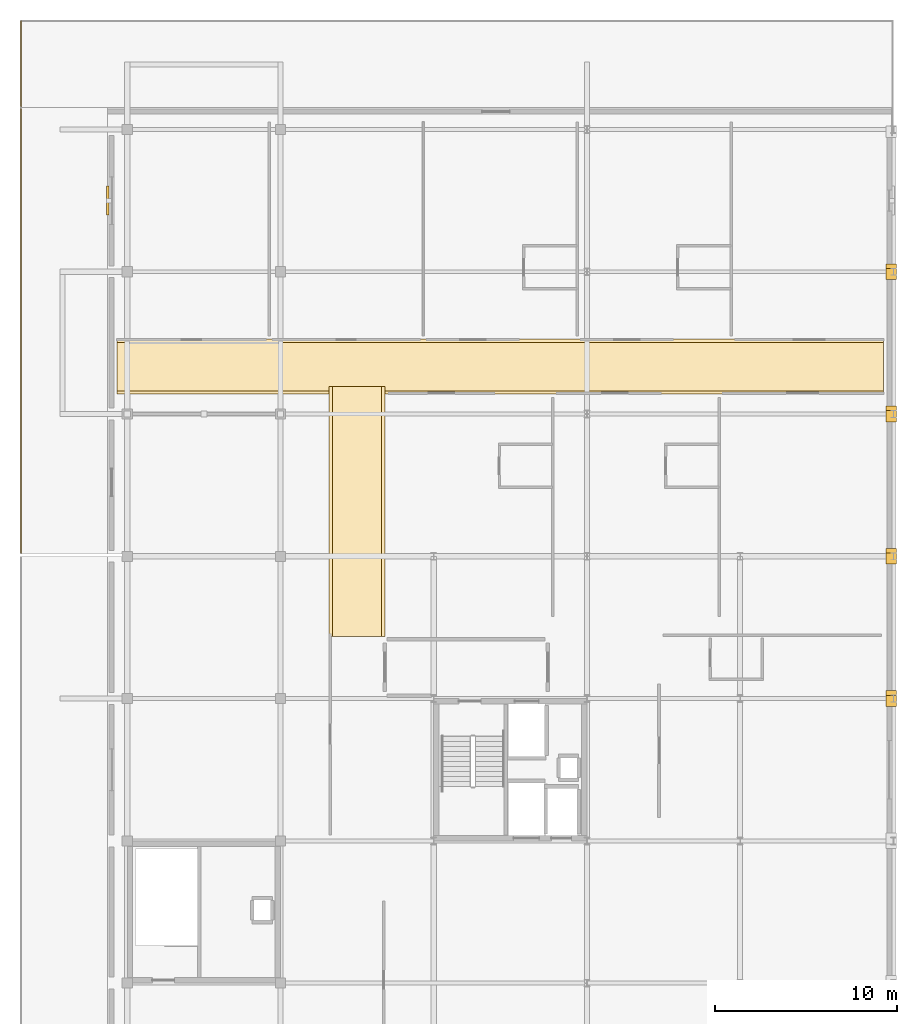
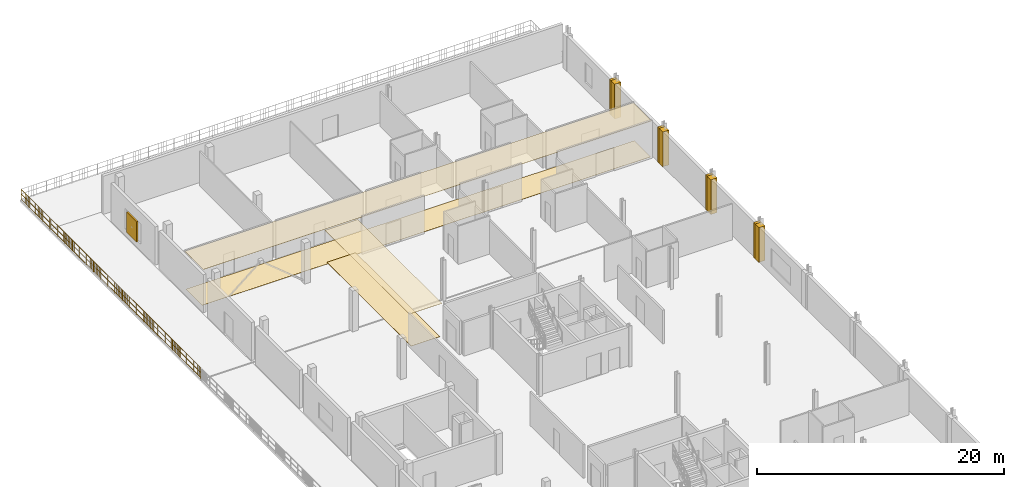
# One storey, part 14 of 16: 12 coverings, 2 railings, 1 shading device.
"""IFC4 building model written with IfcOpenShell, lengths in metres."""

from ifc_helpers import new_model, si_unit, direction, frame, origin, origin_2d, place, context, subcontext, project, spatial, polyline, rectangle, circle, outline, extrude, material, layer, layer_set, type_object, element, save


model = new_model("IFC4")

# Units and contexts
model_context = context("Model", 3, precision=1e-05, world=origin(), true_north=direction((0.0, 1.0)))
body_context = subcontext(model_context, "Body", "Model", "MODEL_VIEW")
ifc_project = project(units=[si_unit("LENGTHUNIT", "METRE"), si_unit("AREAUNIT", "SQUARE_METRE"), si_unit("VOLUMEUNIT", "CUBIC_METRE"), si_unit("PLANEANGLEUNIT", "RADIAN"), si_unit("MASSUNIT", "GRAM", prefix="KILO")], contexts=[model_context])

# Site, building, storey
site_placement = place(None, origin())
site = spatial("IfcSite", under=ifc_project, at=site_placement, CompositionType="ELEMENT")
building_placement = place(site_placement, origin())
building = spatial("IfcBuilding", under=site, at=building_placement, Name="Nabrawat Pavilion Hospital", CompositionType="ELEMENT")
storey_placement = place(building_placement, frame((0.0, 0.0, 31.050048828125)))
storey = spatial("IfcBuildingStorey", under=building, at=storey_placement, Name="L07", CompositionType="ELEMENT", Elevation=31.050048828125)

# Coverings
ifc_material_1 = material(Name="Precast concrete C40/50", Category="concrete")
ifc_layer_1 = layer(ifc_material_1, 0.360107421875, Name="Precast concrete C40/50")
ifc_layer_set_1 = layer_set([ifc_layer_1], Name="Precast concrete C40/50")
covering_type_1 = type_object("IfcCoveringType", Name="Architectural Precast Column-Jamb Closure Reveal", PredefinedType="CLADDING", material=ifc_layer_set_1)
covering_1_placement = place(storey_placement, origin())
element("IfcCovering", 1, at=covering_1_placement, inside=storey, type_object=covering_type_1, Name="L07 Precast Facade Column-Jamb Weatherseal Closure 0658", PredefinedType="CLADDING", context=body_context, shape_type="SweptSolid", body=[
    extrude(outline(polyline([(193.3798828125, 77.570068359375), (193.3798828125, 78.179931640625), (192.800048828125, 78.179931640625), (192.800048828125, 77.570068359375), (193.3798828125, 77.570068359375)])), origin(), (0.0, 0.0, 1.0), 3.43994140625),
])
covering_2_placement = place(storey_placement, origin())
element("IfcCovering", 2, at=covering_2_placement, inside=storey, type_object=covering_type_1, Name="L07 Precast Facade Column-Jamb Weatherseal Closure 0659", PredefinedType="CLADDING", context=body_context, shape_type="SweptSolid", body=[
    extrude(outline(polyline([(193.3798828125, 77.820068359375), (193.3798828125, 78.429931640625), (192.800048828125, 78.429931640625), (192.800048828125, 77.820068359375), (193.3798828125, 77.820068359375)])), origin(), (0.0, 0.0, 1.0), 3.43994140625),
])
covering_3_placement = place(storey_placement, origin())
element("IfcCovering", 3, at=covering_3_placement, inside=storey, type_object=covering_type_1, Name="L07 Precast Facade Column-Jamb Weatherseal Closure 0660", PredefinedType="CLADDING", context=body_context, shape_type="SweptSolid", body=[
    extrude(outline(polyline([(193.3798828125, 85.3701171875), (193.3798828125, 85.97998046875), (192.800048828125, 85.97998046875), (192.800048828125, 85.3701171875), (193.3798828125, 85.3701171875)])), origin(), (0.0, 0.0, 1.0), 3.43994140625),
])
covering_4_placement = place(storey_placement, origin())
element("IfcCovering", 4, at=covering_4_placement, inside=storey, type_object=covering_type_1, Name="L07 Precast Facade Column-Jamb Weatherseal Closure 0661", PredefinedType="CLADDING", context=body_context, shape_type="SweptSolid", body=[
    extrude(outline(polyline([(193.3798828125, 85.6201171875), (193.3798828125, 86.22998046875), (192.800048828125, 86.22998046875), (192.800048828125, 85.6201171875), (193.3798828125, 85.6201171875)])), origin(), (0.0, 0.0, 1.0), 3.43994140625),
])
covering_5_placement = place(storey_placement, origin())
element("IfcCovering", 5, at=covering_5_placement, inside=storey, type_object=covering_type_1, Name="L07 Precast Facade Column-Jamb Weatherseal Closure 0662", PredefinedType="CLADDING", context=body_context, shape_type="SweptSolid", body=[
    extrude(outline(polyline([(193.3798828125, 93.169921875), (193.3798828125, 93.780029296875), (192.800048828125, 93.780029296875), (192.800048828125, 93.169921875), (193.3798828125, 93.169921875)])), origin(), (0.0, 0.0, 1.0), 3.43994140625),
])
covering_6_placement = place(storey_placement, origin())
element("IfcCovering", 6, at=covering_6_placement, inside=storey, type_object=covering_type_1, Name="L07 Precast Facade Column-Jamb Weatherseal Closure 0663", PredefinedType="CLADDING", context=body_context, shape_type="SweptSolid", body=[
    extrude(outline(polyline([(193.3798828125, 93.419921875), (193.3798828125, 94.030029296875), (192.800048828125, 94.030029296875), (192.800048828125, 93.419921875), (193.3798828125, 93.419921875)])), origin(), (0.0, 0.0, 1.0), 3.43994140625),
])
covering_7_placement = place(storey_placement, origin())
element("IfcCovering", 7, at=covering_7_placement, inside=storey, type_object=covering_type_1, Name="L07 Precast Facade Column-Jamb Weatherseal Closure 0664", PredefinedType="CLADDING", context=body_context, shape_type="SweptSolid", body=[
    extrude(outline(polyline([(193.3798828125, 100.969970703125), (193.3798828125, 101.580078125), (192.800048828125, 101.580078125), (192.800048828125, 100.969970703125), (193.3798828125, 100.969970703125)])), origin(), (0.0, 0.0, 1.0), 3.43994140625),
])
covering_8_placement = place(storey_placement, origin())
element("IfcCovering", 8, at=covering_8_placement, inside=storey, type_object=covering_type_1, Name="L07 Precast Facade Column-Jamb Weatherseal Closure 0665", PredefinedType="CLADDING", context=body_context, shape_type="SweptSolid", body=[
    extrude(outline(polyline([(193.3798828125, 101.219970703125), (193.3798828125, 101.830078125), (192.800048828125, 101.830078125), (192.800048828125, 101.219970703125), (193.3798828125, 101.219970703125)])), origin(), (0.0, 0.0, 1.0), 3.43994140625),
])

# Railings
ifc_material_2 = material(Name="Stainless Steel 316", Category="steel")
ifc_layer_2 = layer(ifc_material_2, 0.070068359375, Name="Stainless Steel 316")
ifc_layer_set_2 = layer_set([ifc_layer_2], Name="Stainless Steel 316")
railing_type = type_object("IfcRailingType", Name="Exterior Clinical Terrace Safety Guardrail 1100", PredefinedType="GUARDRAIL", material=ifc_layer_set_2)
railing_1_placement = place(storey_placement, frame((145.3798828125, 85.97998046875, 0.0)))
element("IfcRailing", 9, at=railing_1_placement, inside=storey, type_object=railing_type, Name="L07 Terrace Edge Safety Guardrail T_L07_WARD_WEST_N West", PredefinedType="GUARDRAIL", context=body_context, shape_type="SweptSolid", body=[
    extrude(circle(Radius=0.02392578125, at=origin_2d()), frame((0.0, 0.0, 1.076171875), z_axis=(0.0, 1.0, 0.0), x_axis=(-1.0, 0.0, 0.0)), (0.0, 0.0, 1.0), 24.360107421875),
    extrude(circle(Radius=0.02392578125, at=origin_2d()), frame((0.0, 0.0, 0.10009765625), z_axis=(0.0, 1.0, 0.0), x_axis=(-1.0, 0.0, 0.0)), (0.0, 0.0, 1.0), 24.360107421875),
    extrude(circle(Radius=0.02392578125, at=origin_2d()), frame((0.0, 0.0, 0.60498046875), z_axis=(0.0, 1.0, 0.0), x_axis=(-1.0, 0.0, 0.0)), (0.0, 0.0, 1.0), 24.360107421875),
    extrude(circle(Radius=0.008056640625, at=origin_2d()), frame((0.0, 0.23876953125, 0.10009765625)), (0.0, 0.0, 1.0), 0.951904296875),
    extrude(circle(Radius=0.008056640625, at=origin_2d()), frame((0.0, 0.4775390625, 0.10009765625)), (0.0, 0.0, 1.0), 0.951904296875),
    extrude(circle(Radius=0.008056640625, at=origin_2d()), frame((0.0, 0.716552734375, 0.10009765625)), (0.0, 0.0, 1.0), 0.951904296875),
    extrude(circle(Radius=0.008056640625, at=origin_2d()), frame((0.0, 0.955322265625, 0.10009765625)), (0.0, 0.0, 1.0), 0.951904296875),
    extrude(circle(Radius=0.008056640625, at=origin_2d()), frame((0.0, 1.432861328125, 0.10009765625)), (0.0, 0.0, 1.0), 0.951904296875),
    extrude(circle(Radius=0.008056640625, at=origin_2d()), frame((0.0, 1.671875, 0.10009765625)), (0.0, 0.0, 1.0), 0.951904296875),
    extrude(circle(Radius=0.008056640625, at=origin_2d()), frame((0.0, 1.91064453125, 0.10009765625)), (0.0, 0.0, 1.0), 0.951904296875),
    extrude(circle(Radius=0.008056640625, at=origin_2d()), frame((0.0, 2.1494140625, 0.10009765625)), (0.0, 0.0, 1.0), 0.951904296875),
    extrude(circle(Radius=0.008056640625, at=origin_2d()), frame((0.0, 2.38818359375, 0.10009765625)), (0.0, 0.0, 1.0), 0.951904296875),
    extrude(circle(Radius=0.008056640625, at=origin_2d()), frame((0.0, 2.626953125, 0.10009765625)), (0.0, 0.0, 1.0), 0.951904296875),
    extrude(circle(Radius=0.008056640625, at=origin_2d()), frame((0.0, 2.865966796875, 0.10009765625)), (0.0, 0.0, 1.0), 0.951904296875),
    extrude(circle(Radius=0.008056640625, at=origin_2d()), frame((0.0, 3.104736328125, 0.10009765625)), (0.0, 0.0, 1.0), 0.951904296875),
    extrude(circle(Radius=0.008056640625, at=origin_2d()), frame((0.0, 3.343505859375, 0.10009765625)), (0.0, 0.0, 1.0), 0.951904296875),
    extrude(circle(Radius=0.008056640625, at=origin_2d()), frame((0.0, 3.582275390625, 0.10009765625)), (0.0, 0.0, 1.0), 0.951904296875),
    extrude(circle(Radius=0.008056640625, at=origin_2d()), frame((0.0, 3.8212890625, 0.10009765625)), (0.0, 0.0, 1.0), 0.951904296875),
    extrude(circle(Radius=0.008056640625, at=origin_2d()), frame((0.0, 4.06005859375, 0.10009765625)), (0.0, 0.0, 1.0), 0.951904296875),
    extrude(circle(Radius=0.008056640625, at=origin_2d()), frame((0.0, 4.298828125, 0.10009765625)), (0.0, 0.0, 1.0), 0.951904296875),
    extrude(circle(Radius=0.008056640625, at=origin_2d()), frame((0.0, 4.53759765625, 0.10009765625)), (0.0, 0.0, 1.0), 0.951904296875),
    extrude(circle(Radius=0.008056640625, at=origin_2d()), frame((0.0, 4.776611328125, 0.10009765625)), (0.0, 0.0, 1.0), 0.951904296875),
    extrude(circle(Radius=0.008056640625, at=origin_2d()), frame((0.0, 5.015380859375, 0.10009765625)), (0.0, 0.0, 1.0), 0.951904296875),
    extrude(circle(Radius=0.008056640625, at=origin_2d()), frame((0.0, 5.254150390625, 0.10009765625)), (0.0, 0.0, 1.0), 0.951904296875),
    extrude(circle(Radius=0.008056640625, at=origin_2d()), frame((0.0, 5.492919921875, 0.10009765625)), (0.0, 0.0, 1.0), 0.951904296875),
    extrude(circle(Radius=0.008056640625, at=origin_2d()), frame((0.0, 5.731689453125, 0.10009765625)), (0.0, 0.0, 1.0), 0.951904296875),
    extrude(circle(Radius=0.008056640625, at=origin_2d()), frame((0.0, 5.970703125, 0.10009765625)), (0.0, 0.0, 1.0), 0.951904296875),
    extrude(circle(Radius=0.008056640625, at=origin_2d()), frame((0.0, 6.20947265625, 0.10009765625)), (0.0, 0.0, 1.0), 0.951904296875),
    extrude(circle(Radius=0.008056640625, at=origin_2d()), frame((0.0, 6.4482421875, 0.10009765625)), (0.0, 0.0, 1.0), 0.951904296875),
    extrude(circle(Radius=0.008056640625, at=origin_2d()), frame((0.0, 6.68701171875, 0.10009765625)), (0.0, 0.0, 1.0), 0.951904296875),
    extrude(circle(Radius=0.008056640625, at=origin_2d()), frame((0.0, 7.164794921875, 0.10009765625)), (0.0, 0.0, 1.0), 0.951904296875),
    extrude(circle(Radius=0.008056640625, at=origin_2d()), frame((0.0, 7.403564453125, 0.10009765625)), (0.0, 0.0, 1.0), 0.951904296875),
    extrude(circle(Radius=0.008056640625, at=origin_2d()), frame((0.0, 7.642333984375, 0.10009765625)), (0.0, 0.0, 1.0), 0.951904296875),
    extrude(circle(Radius=0.008056640625, at=origin_2d()), frame((0.0, 7.881103515625, 0.10009765625)), (0.0, 0.0, 1.0), 0.951904296875),
    extrude(circle(Radius=0.008056640625, at=origin_2d()), frame((0.0, 8.35888671875, 0.10009765625)), (0.0, 0.0, 1.0), 0.951904296875),
    extrude(circle(Radius=0.008056640625, at=origin_2d()), frame((0.0, 8.59765625, 0.10009765625)), (0.0, 0.0, 1.0), 0.951904296875),
    extrude(circle(Radius=0.008056640625, at=origin_2d()), frame((0.0, 8.83642578125, 0.10009765625)), (0.0, 0.0, 1.0), 0.951904296875),
    extrude(circle(Radius=0.008056640625, at=origin_2d()), frame((0.0, 9.075439453125, 0.10009765625)), (0.0, 0.0, 1.0), 0.951904296875),
    extrude(circle(Radius=0.008056640625, at=origin_2d()), frame((0.0, 9.552978515625, 0.10009765625)), (0.0, 0.0, 1.0), 0.951904296875),
    extrude(circle(Radius=0.008056640625, at=origin_2d()), frame((0.0, 9.791748046875, 0.10009765625)), (0.0, 0.0, 1.0), 0.951904296875),
    extrude(circle(Radius=0.008056640625, at=origin_2d()), frame((0.0, 10.030517578125, 0.10009765625)), (0.0, 0.0, 1.0), 0.951904296875),
    extrude(circle(Radius=0.008056640625, at=origin_2d()), frame((0.0, 10.26953125, 0.10009765625)), (0.0, 0.0, 1.0), 0.951904296875),
    extrude(circle(Radius=0.008056640625, at=origin_2d()), frame((0.0, 10.50830078125, 0.10009765625)), (0.0, 0.0, 1.0), 0.951904296875),
    extrude(circle(Radius=0.008056640625, at=origin_2d()), frame((0.0, 10.7470703125, 0.10009765625)), (0.0, 0.0, 1.0), 0.951904296875),
    extrude(circle(Radius=0.008056640625, at=origin_2d()), frame((0.0, 10.98583984375, 0.10009765625)), (0.0, 0.0, 1.0), 0.951904296875),
    extrude(circle(Radius=0.008056640625, at=origin_2d()), frame((0.0, 11.224853515625, 0.10009765625)), (0.0, 0.0, 1.0), 0.951904296875),
    extrude(circle(Radius=0.008056640625, at=origin_2d()), frame((0.0, 11.463623046875, 0.10009765625)), (0.0, 0.0, 1.0), 0.951904296875),
    extrude(circle(Radius=0.008056640625, at=origin_2d()), frame((0.0, 11.702392578125, 0.10009765625)), (0.0, 0.0, 1.0), 0.951904296875),
    extrude(circle(Radius=0.008056640625, at=origin_2d()), frame((0.0, 11.941162109375, 0.10009765625)), (0.0, 0.0, 1.0), 0.951904296875),
    extrude(circle(Radius=0.008056640625, at=origin_2d()), frame((0.0, 12.18017578125, 0.10009765625)), (0.0, 0.0, 1.0), 0.951904296875),
    extrude(circle(Radius=0.008056640625, at=origin_2d()), frame((0.0, 12.4189453125, 0.10009765625)), (0.0, 0.0, 1.0), 0.951904296875),
    extrude(circle(Radius=0.008056640625, at=origin_2d()), frame((0.0, 12.65771484375, 0.10009765625)), (0.0, 0.0, 1.0), 0.951904296875),
    extrude(circle(Radius=0.008056640625, at=origin_2d()), frame((0.0, 12.896484375, 0.10009765625)), (0.0, 0.0, 1.0), 0.951904296875),
    extrude(circle(Radius=0.008056640625, at=origin_2d()), frame((0.0, 13.13525390625, 0.10009765625)), (0.0, 0.0, 1.0), 0.951904296875),
    extrude(circle(Radius=0.008056640625, at=origin_2d()), frame((0.0, 13.374267578125, 0.10009765625)), (0.0, 0.0, 1.0), 0.951904296875),
    extrude(circle(Radius=0.008056640625, at=origin_2d()), frame((0.0, 13.613037109375, 0.10009765625)), (0.0, 0.0, 1.0), 0.951904296875),
    extrude(circle(Radius=0.008056640625, at=origin_2d()), frame((0.0, 13.851806640625, 0.10009765625)), (0.0, 0.0, 1.0), 0.951904296875),
    extrude(circle(Radius=0.008056640625, at=origin_2d()), frame((0.0, 14.090576171875, 0.10009765625)), (0.0, 0.0, 1.0), 0.951904296875),
    extrude(circle(Radius=0.008056640625, at=origin_2d()), frame((0.0, 14.32958984375, 0.10009765625)), (0.0, 0.0, 1.0), 0.951904296875),
    extrude(circle(Radius=0.008056640625, at=origin_2d()), frame((0.0, 14.568359375, 0.10009765625)), (0.0, 0.0, 1.0), 0.951904296875),
    extrude(circle(Radius=0.008056640625, at=origin_2d()), frame((0.0, 14.80712890625, 0.10009765625)), (0.0, 0.0, 1.0), 0.951904296875),
    extrude(circle(Radius=0.008056640625, at=origin_2d()), frame((0.0, 15.28466796875, 0.10009765625)), (0.0, 0.0, 1.0), 0.951904296875),
    extrude(circle(Radius=0.008056640625, at=origin_2d()), frame((0.0, 15.523681640625, 0.10009765625)), (0.0, 0.0, 1.0), 0.951904296875),
    extrude(circle(Radius=0.008056640625, at=origin_2d()), frame((0.0, 15.762451171875, 0.10009765625)), (0.0, 0.0, 1.0), 0.951904296875),
    extrude(circle(Radius=0.008056640625, at=origin_2d()), frame((0.0, 16.001220703125, 0.10009765625)), (0.0, 0.0, 1.0), 0.951904296875),
    extrude(circle(Radius=0.008056640625, at=origin_2d()), frame((0.0, 16.47900390625, 0.10009765625)), (0.0, 0.0, 1.0), 0.951904296875),
    extrude(circle(Radius=0.008056640625, at=origin_2d()), frame((0.0, 16.7177734375, 0.10009765625)), (0.0, 0.0, 1.0), 0.951904296875),
    extrude(circle(Radius=0.008056640625, at=origin_2d()), frame((0.0, 16.95654296875, 0.10009765625)), (0.0, 0.0, 1.0), 0.951904296875),
    extrude(circle(Radius=0.008056640625, at=origin_2d()), frame((0.0, 17.1953125, 0.10009765625)), (0.0, 0.0, 1.0), 0.951904296875),
    extrude(circle(Radius=0.008056640625, at=origin_2d()), frame((0.0, 17.673095703125, 0.10009765625)), (0.0, 0.0, 1.0), 0.951904296875),
    extrude(circle(Radius=0.008056640625, at=origin_2d()), frame((0.0, 17.911865234375, 0.10009765625)), (0.0, 0.0, 1.0), 0.951904296875),
    extrude(circle(Radius=0.008056640625, at=origin_2d()), frame((0.0, 18.150634765625, 0.10009765625)), (0.0, 0.0, 1.0), 0.951904296875),
    extrude(circle(Radius=0.008056640625, at=origin_2d()), frame((0.0, 18.389404296875, 0.10009765625)), (0.0, 0.0, 1.0), 0.951904296875),
    extrude(circle(Radius=0.008056640625, at=origin_2d()), frame((0.0, 18.62841796875, 0.10009765625)), (0.0, 0.0, 1.0), 0.951904296875),
    extrude(circle(Radius=0.008056640625, at=origin_2d()), frame((0.0, 18.8671875, 0.10009765625)), (0.0, 0.0, 1.0), 0.951904296875),
    extrude(circle(Radius=0.008056640625, at=origin_2d()), frame((0.0, 19.10595703125, 0.10009765625)), (0.0, 0.0, 1.0), 0.951904296875),
    extrude(circle(Radius=0.008056640625, at=origin_2d()), frame((0.0, 19.3447265625, 0.10009765625)), (0.0, 0.0, 1.0), 0.951904296875),
    extrude(circle(Radius=0.008056640625, at=origin_2d()), frame((0.0, 19.58349609375, 0.10009765625)), (0.0, 0.0, 1.0), 0.951904296875),
    extrude(circle(Radius=0.008056640625, at=origin_2d()), frame((0.0, 19.822509765625, 0.10009765625)), (0.0, 0.0, 1.0), 0.951904296875),
    extrude(circle(Radius=0.008056640625, at=origin_2d()), frame((0.0, 20.061279296875, 0.10009765625)), (0.0, 0.0, 1.0), 0.951904296875),
    extrude(circle(Radius=0.008056640625, at=origin_2d()), frame((0.0, 20.300048828125, 0.10009765625)), (0.0, 0.0, 1.0), 0.951904296875),
    extrude(circle(Radius=0.008056640625, at=origin_2d()), frame((0.0, 20.538818359375, 0.10009765625)), (0.0, 0.0, 1.0), 0.951904296875),
    extrude(circle(Radius=0.008056640625, at=origin_2d()), frame((0.0, 20.77783203125, 0.10009765625)), (0.0, 0.0, 1.0), 0.951904296875),
    extrude(circle(Radius=0.008056640625, at=origin_2d()), frame((0.0, 21.0166015625, 0.10009765625)), (0.0, 0.0, 1.0), 0.951904296875),
    extrude(circle(Radius=0.008056640625, at=origin_2d()), frame((0.0, 21.25537109375, 0.10009765625)), (0.0, 0.0, 1.0), 0.951904296875),
    extrude(circle(Radius=0.008056640625, at=origin_2d()), frame((0.0, 21.494140625, 0.10009765625)), (0.0, 0.0, 1.0), 0.951904296875),
    extrude(circle(Radius=0.008056640625, at=origin_2d()), frame((0.0, 21.733154296875, 0.10009765625)), (0.0, 0.0, 1.0), 0.951904296875),
    extrude(circle(Radius=0.008056640625, at=origin_2d()), frame((0.0, 21.971923828125, 0.10009765625)), (0.0, 0.0, 1.0), 0.951904296875),
    extrude(circle(Radius=0.008056640625, at=origin_2d()), frame((0.0, 22.210693359375, 0.10009765625)), (0.0, 0.0, 1.0), 0.951904296875),
    extrude(circle(Radius=0.008056640625, at=origin_2d()), frame((0.0, 22.449462890625, 0.10009765625)), (0.0, 0.0, 1.0), 0.951904296875),
    extrude(circle(Radius=0.008056640625, at=origin_2d()), frame((0.0, 22.688232421875, 0.10009765625)), (0.0, 0.0, 1.0), 0.951904296875),
    extrude(circle(Radius=0.008056640625, at=origin_2d()), frame((0.0, 22.92724609375, 0.10009765625)), (0.0, 0.0, 1.0), 0.951904296875),
    extrude(circle(Radius=0.008056640625, at=origin_2d()), frame((0.0, 23.40478515625, 0.10009765625)), (0.0, 0.0, 1.0), 0.951904296875),
    extrude(circle(Radius=0.008056640625, at=origin_2d()), frame((0.0, 23.6435546875, 0.10009765625)), (0.0, 0.0, 1.0), 0.951904296875),
    extrude(circle(Radius=0.008056640625, at=origin_2d()), frame((0.0, 23.882568359375, 0.10009765625)), (0.0, 0.0, 1.0), 0.951904296875),
    extrude(circle(Radius=0.008056640625, at=origin_2d()), frame((0.0, 24.121337890625, 0.10009765625)), (0.0, 0.0, 1.0), 0.951904296875),
    extrude(circle(Radius=0.02099609375, at=origin_2d()), origin(), (0.0, 0.0, 1.0), 1.052001953125),
    extrude(circle(Radius=0.02099609375, at=origin_2d()), frame((0.0, 1.159912109375, 0.0)), (0.0, 0.0, 1.0), 1.052001953125),
    extrude(circle(Radius=0.02099609375, at=origin_2d()), frame((0.0, 2.320068359375, 0.0)), (0.0, 0.0, 1.0), 1.052001953125),
    extrude(circle(Radius=0.02099609375, at=origin_2d()), frame((0.0, 3.47998046875, 0.0)), (0.0, 0.0, 1.0), 1.052001953125),
    extrude(circle(Radius=0.02099609375, at=origin_2d()), frame((0.0, 4.64013671875, 0.0)), (0.0, 0.0, 1.0), 1.052001953125),
    extrude(circle(Radius=0.02099609375, at=origin_2d()), frame((0.0, 5.800048828125, 0.0)), (0.0, 0.0, 1.0), 1.052001953125),
    extrude(circle(Radius=0.02099609375, at=origin_2d()), frame((0.0, 6.9599609375, 0.0)), (0.0, 0.0, 1.0), 1.052001953125),
    extrude(circle(Radius=0.02099609375, at=origin_2d()), frame((0.0, 8.1201171875, 0.0)), (0.0, 0.0, 1.0), 1.052001953125),
    extrude(circle(Radius=0.02099609375, at=origin_2d()), frame((0.0, 9.280029296875, 0.0)), (0.0, 0.0, 1.0), 1.052001953125),
    extrude(circle(Radius=0.02099609375, at=origin_2d()), frame((0.0, 10.43994140625, 0.0)), (0.0, 0.0, 1.0), 1.052001953125),
    extrude(circle(Radius=0.02099609375, at=origin_2d()), frame((0.0, 11.60009765625, 0.0)), (0.0, 0.0, 1.0), 1.052001953125),
    extrude(circle(Radius=0.02099609375, at=origin_2d()), frame((0.0, 12.760009765625, 0.0)), (0.0, 0.0, 1.0), 1.052001953125),
    extrude(circle(Radius=0.02099609375, at=origin_2d()), frame((0.0, 13.920166015625, 0.0)), (0.0, 0.0, 1.0), 1.052001953125),
    extrude(circle(Radius=0.02099609375, at=origin_2d()), frame((0.0, 15.080078125, 0.0)), (0.0, 0.0, 1.0), 1.052001953125),
    extrude(circle(Radius=0.02099609375, at=origin_2d()), frame((0.0, 16.239990234375, 0.0)), (0.0, 0.0, 1.0), 1.052001953125),
    extrude(circle(Radius=0.02099609375, at=origin_2d()), frame((0.0, 17.400146484375, 0.0)), (0.0, 0.0, 1.0), 1.052001953125),
    extrude(circle(Radius=0.02099609375, at=origin_2d()), frame((0.0, 18.56005859375, 0.0)), (0.0, 0.0, 1.0), 1.052001953125),
    extrude(circle(Radius=0.02099609375, at=origin_2d()), frame((0.0, 19.719970703125, 0.0)), (0.0, 0.0, 1.0), 1.052001953125),
    extrude(circle(Radius=0.02099609375, at=origin_2d()), frame((0.0, 20.880126953125, 0.0)), (0.0, 0.0, 1.0), 1.052001953125),
    extrude(circle(Radius=0.02099609375, at=origin_2d()), frame((0.0, 22.0400390625, 0.0)), (0.0, 0.0, 1.0), 1.052001953125),
    extrude(circle(Radius=0.02099609375, at=origin_2d()), frame((0.0, 23.2001953125, 0.0)), (0.0, 0.0, 1.0), 1.052001953125),
    extrude(circle(Radius=0.02099609375, at=origin_2d()), frame((0.0, 24.360107421875, 0.0)), (0.0, 0.0, 1.0), 1.052001953125),
])
railing_2_placement = place(storey_placement, frame((145.3798828125, 110.4599609375, 0.0)))
element("IfcRailing", 10, at=railing_2_placement, inside=storey, type_object=railing_type, Name="L07 Terrace Edge Safety Guardrail T_L07_WARD_NORTH West", PredefinedType="GUARDRAIL", context=body_context, shape_type="SweptSolid", body=[
    extrude(circle(Radius=0.02392578125, at=origin_2d()), frame((0.0, 0.0, 1.076171875), z_axis=(0.0, 1.0, 0.0), x_axis=(-1.0, 0.0, 0.0)), (0.0, 0.0, 1.0), 4.679931640625),
    extrude(circle(Radius=0.02392578125, at=origin_2d()), frame((0.0, 0.0, 0.10009765625), z_axis=(0.0, 1.0, 0.0), x_axis=(-1.0, 0.0, 0.0)), (0.0, 0.0, 1.0), 4.679931640625),
    extrude(circle(Radius=0.02392578125, at=origin_2d()), frame((0.0, 0.0, 0.60498046875), z_axis=(0.0, 1.0, 0.0), x_axis=(-1.0, 0.0, 0.0)), (0.0, 0.0, 1.0), 4.679931640625),
    extrude(circle(Radius=0.008056640625, at=origin_2d()), frame((0.0, 0.23388671875, 0.10009765625)), (0.0, 0.0, 1.0), 0.951904296875),
    extrude(circle(Radius=0.008056640625, at=origin_2d()), frame((0.0, 0.468017578125, 0.10009765625)), (0.0, 0.0, 1.0), 0.951904296875),
    extrude(circle(Radius=0.008056640625, at=origin_2d()), frame((0.0, 0.701904296875, 0.10009765625)), (0.0, 0.0, 1.0), 0.951904296875),
    extrude(circle(Radius=0.008056640625, at=origin_2d()), frame((0.0, 0.93603515625, 0.10009765625)), (0.0, 0.0, 1.0), 0.951904296875),
    extrude(circle(Radius=0.008056640625, at=origin_2d()), frame((0.0, 1.404052734375, 0.10009765625)), (0.0, 0.0, 1.0), 0.951904296875),
    extrude(circle(Radius=0.008056640625, at=origin_2d()), frame((0.0, 1.637939453125, 0.10009765625)), (0.0, 0.0, 1.0), 0.951904296875),
    extrude(circle(Radius=0.008056640625, at=origin_2d()), frame((0.0, 1.8720703125, 0.10009765625)), (0.0, 0.0, 1.0), 0.951904296875),
    extrude(circle(Radius=0.008056640625, at=origin_2d()), frame((0.0, 2.10595703125, 0.10009765625)), (0.0, 0.0, 1.0), 0.951904296875),
    extrude(circle(Radius=0.008056640625, at=origin_2d()), frame((0.0, 2.573974609375, 0.10009765625)), (0.0, 0.0, 1.0), 0.951904296875),
    extrude(circle(Radius=0.008056640625, at=origin_2d()), frame((0.0, 2.807861328125, 0.10009765625)), (0.0, 0.0, 1.0), 0.951904296875),
    extrude(circle(Radius=0.008056640625, at=origin_2d()), frame((0.0, 3.0419921875, 0.10009765625)), (0.0, 0.0, 1.0), 0.951904296875),
    extrude(circle(Radius=0.008056640625, at=origin_2d()), frame((0.0, 3.27587890625, 0.10009765625)), (0.0, 0.0, 1.0), 0.951904296875),
    extrude(circle(Radius=0.008056640625, at=origin_2d()), frame((0.0, 3.743896484375, 0.10009765625)), (0.0, 0.0, 1.0), 0.951904296875),
    extrude(circle(Radius=0.008056640625, at=origin_2d()), frame((0.0, 3.97802734375, 0.10009765625)), (0.0, 0.0, 1.0), 0.951904296875),
    extrude(circle(Radius=0.008056640625, at=origin_2d()), frame((0.0, 4.2119140625, 0.10009765625)), (0.0, 0.0, 1.0), 0.951904296875),
    extrude(circle(Radius=0.008056640625, at=origin_2d()), frame((0.0, 4.446044921875, 0.10009765625)), (0.0, 0.0, 1.0), 0.951904296875),
    extrude(circle(Radius=0.02099609375, at=origin_2d()), origin(), (0.0, 0.0, 1.0), 1.052001953125),
    extrude(circle(Radius=0.02099609375, at=origin_2d()), frame((0.0, 1.169921875, 0.0)), (0.0, 0.0, 1.0), 1.052001953125),
    extrude(circle(Radius=0.02099609375, at=origin_2d()), frame((0.0, 2.33984375, 0.0)), (0.0, 0.0, 1.0), 1.052001953125),
    extrude(circle(Radius=0.02099609375, at=origin_2d()), frame((0.0, 3.510009765625, 0.0)), (0.0, 0.0, 1.0), 1.052001953125),
    extrude(circle(Radius=0.02099609375, at=origin_2d()), frame((0.0, 4.679931640625, 0.0)), (0.0, 0.0, 1.0), 1.052001953125),
])

# Coverings
ifc_material_3 = material(Name="Mineral-Fibre Hygienic Acoustic Board", Category="gypsum")
ifc_layer_3 = layer(ifc_material_3, 0.02490234375, Name="Mineral-Fibre Hygienic Acoustic Board")
ifc_layer_set_3 = layer_set([ifc_layer_3], Name="Mineral-Fibre Hygienic Acoustic Board")
covering_type_2 = type_object("IfcCoveringType", Name="Hygienic Anti-Bacterial Acoustic Tile Ceiling", PredefinedType="CEILING", material=ifc_layer_set_3)
covering_9_placement = place(storey_placement, frame((0.0, 0.0, 3.219970703125)))
element("IfcCovering", 11, at=covering_9_placement, inside=storey, type_object=covering_type_2, Name="L07 Clinical Corridor Acoustic Ceiling 15", PredefinedType="CEILING", context=body_context, shape_type="SweptSolid", body=[
    extrude(outline(polyline([(165.330078125, 81.39990234375), (165.330078125, 95.10009765625), (162.27001953125, 95.10009765625), (162.27001953125, 81.39990234375), (165.330078125, 81.39990234375)])), origin(), (0.0, 0.0, 1.0), 0.02490234375),
])
covering_10_placement = place(storey_placement, frame((0.0, 0.0, 3.64990234375)))
element("IfcCovering", 12, at=covering_10_placement, inside=storey, type_object=covering_type_2, Name="L07 Clinical Corridor Acoustic Ceiling 16", PredefinedType="CEILING", context=body_context, shape_type="SweptSolid", body=[
    extrude(outline(polyline([(192.64990234375, 94.695068359375), (192.64990234375, 97.705078125), (150.64990234375, 97.705078125), (150.64990234375, 94.695068359375), (192.64990234375, 94.695068359375)])), origin(), (0.0, 0.0, 1.0), 0.025146484375),
])

# Shading device
ifc_layer_4 = layer(ifc_material_1, 2.39990234375, Name="Precast concrete C40/50")
ifc_layer_set_4 = layer_set([ifc_layer_4], Name="Precast concrete C40/50")
shading_device_type = type_object("IfcShadingDeviceType", Name="Perforated GFRC Mashrabiya Solar Fin", PredefinedType="JALOUSIE", material=ifc_layer_set_4)
shading_device_placement = place(storey_placement, frame((150.1298828125, 105.300048828125, 0.64990234375), z_axis=(0.0, 0.0, 1.0), x_axis=(0.0, 1.0, 0.0)))
element("IfcShadingDevice", 13, at=shading_device_placement, inside=storey, type_object=shading_device_type, Name="L07 Perforated GFRC Mashrabiya Screen 020", PredefinedType="JALOUSIE", context=body_context, shape_type="SweptSolid", body=[
    extrude(rectangle(XDim=1.60009765625, YDim=0.139892578125, at=origin_2d()), origin(), (0.0, 0.0, 1.0), 2.0),
])

# Coverings
ifc_material_4 = material(Name="Homogeneous Medical PVC Vinyl", Category="plastic")
ifc_layer_5 = layer(ifc_material_4, 0.014892578125, Name="Homogeneous Medical PVC Vinyl")
ifc_layer_set_5 = layer_set([ifc_layer_5], Name="Homogeneous Medical PVC Vinyl")
covering_type_3 = type_object("IfcCoveringType", Name="Seamless Anti-Static Medical Vinyl Flooring", PredefinedType="FLOORING", material=ifc_layer_set_5)
covering_11_placement = place(storey_placement, origin())
element("IfcCovering", 14, at=covering_11_placement, inside=storey, type_object=covering_type_3, Name="L07 Clinical Corridor Medical Vinyl Flooring 15", PredefinedType="FLOORING", context=body_context, shape_type="SweptSolid", body=[
    extrude(outline(polyline([(165.14990234375, 81.39990234375), (165.14990234375, 95.10009765625), (162.449951171875, 95.10009765625), (162.449951171875, 81.39990234375), (165.14990234375, 81.39990234375)])), origin(), (0.0, 0.0, 1.0), 0.014892578125),
])
covering_12_placement = place(storey_placement, origin())
element("IfcCovering", 15, at=covering_12_placement, inside=storey, type_object=covering_type_3, Name="L07 Clinical Corridor Medical Vinyl Flooring 16", PredefinedType="FLOORING", context=body_context, shape_type="SweptSolid", body=[
    extrude(outline(polyline([(192.64990234375, 94.875), (192.64990234375, 97.52490234375), (150.64990234375, 97.52490234375), (150.64990234375, 94.875), (192.64990234375, 94.875)])), origin(), (0.0, 0.0, 1.0), 0.014892578125),
])

save(model, "model.ifc")
